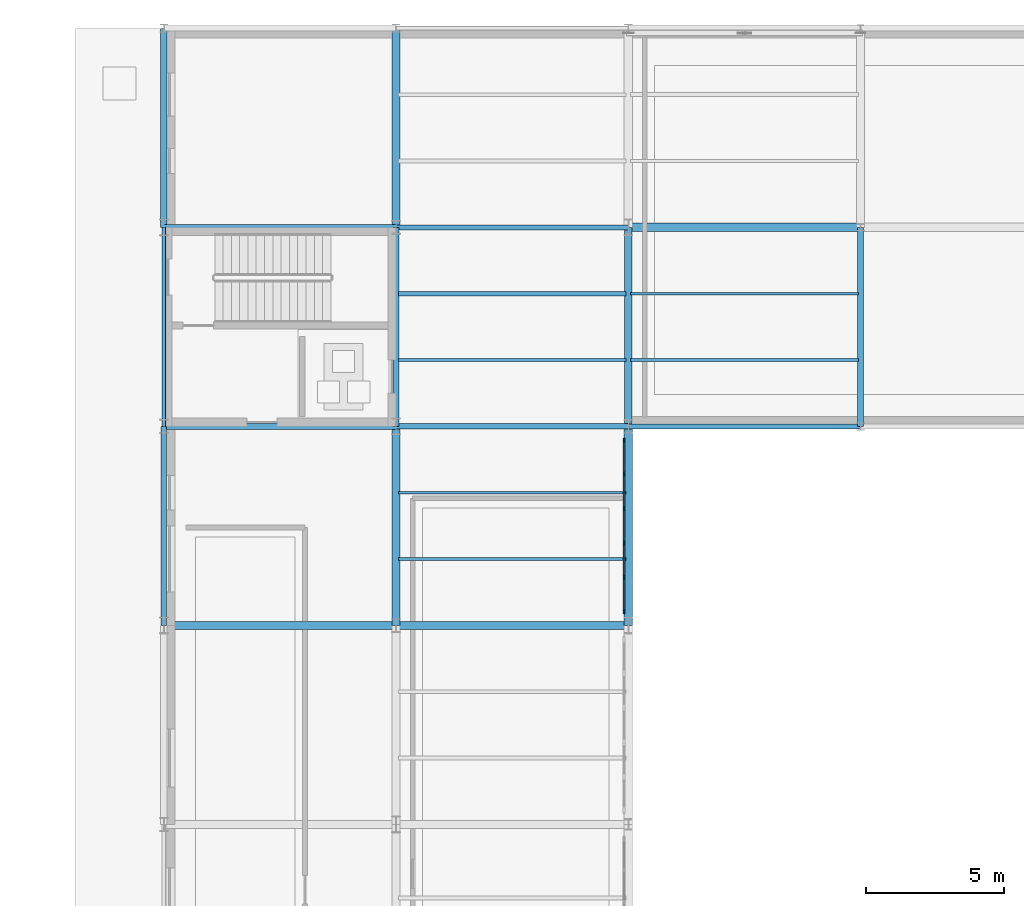
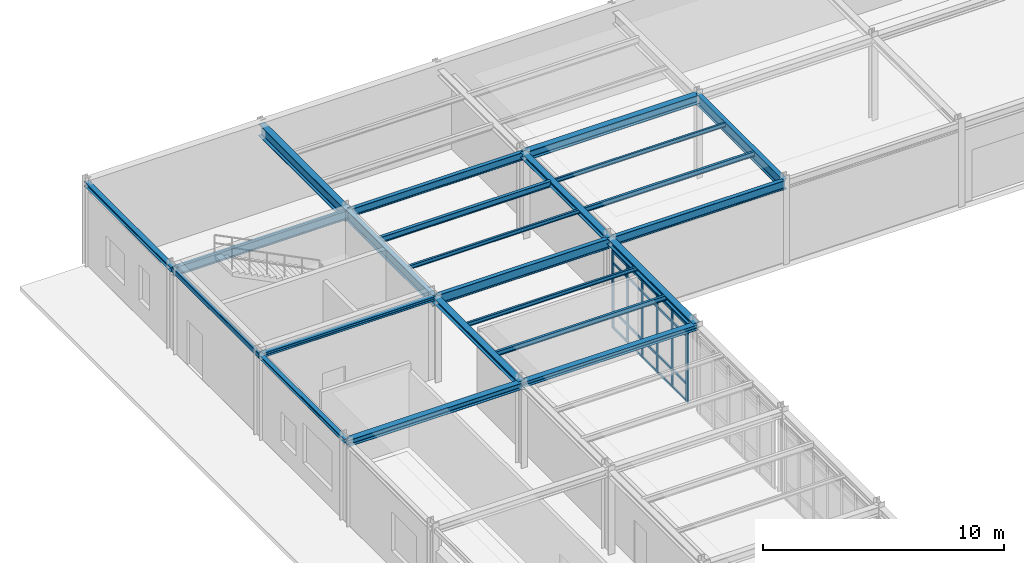
# One storey, part 42 of 101: 26 members, 23 beams, 1 element without a shape of its own.
"""IFC4 building model written with IfcOpenShell, lengths in metres."""

from ifc_helpers import new_model, si_unit, derived_unit, direction, frame, origin, origin_2d, place, context, subcontext, project, spatial, rectangle, hollow_rectangle, i_section, extrude, material, layer, layer_set, material_profile, profile_set, type_object, element, aggregate, save


model = new_model("IFC4")

# Units and contexts
model_context = context("Model", 3, precision=1e-05, world=origin(), true_north=direction((0.0, 1.0)))
body_context = subcontext(model_context, "Body", "Model", "MODEL_VIEW")
ifc_project = project(units=[si_unit("LENGTHUNIT", "METRE"), si_unit("AREAUNIT", "SQUARE_METRE"), si_unit("VOLUMEUNIT", "CUBIC_METRE"), si_unit("PLANEANGLEUNIT", "RADIAN"), si_unit("MASSUNIT", "GRAM", prefix="KILO"), derived_unit("THERMALTRANSMITTANCEUNIT", [(si_unit("POWERUNIT", "WATT"), 1), (si_unit("AREAUNIT", "SQUARE_METRE"), -1), (si_unit("THERMODYNAMICTEMPERATUREUNIT", "KELVIN"), -1)])], contexts=[model_context])

# Site, building, storey
site_placement = place(None, origin())
site = spatial("IfcSite", under=ifc_project, at=site_placement, CompositionType="ELEMENT")
building_placement = place(site_placement, origin())
building = spatial("IfcBuilding", under=site, at=building_placement, Name="Yasenodar Specialist Clinic", CompositionType="ELEMENT")
storey_placement = place(building_placement, origin())
storey = spatial("IfcBuildingStorey", under=building, at=storey_placement, Name="L00", CompositionType="ELEMENT", Elevation=0.0)

# Beams
ifc_material_1 = material(Name="Steel S355", Category="steel")
ifc_material_profile_1 = material_profile(ifc_material_1, i_section(OverallWidth=0.219970703125, OverallDepth=0.2099609375, WebThickness=0.007080078125, FlangeThickness=0.010986328125, FilletRadius=0.01806640625, at=origin_2d()), Name="HEA 220")
ifc_profile_set_1 = profile_set([ifc_material_profile_1], Name="Steel S355")
beam_type_1 = type_object("IfcBeamType", Name="BM-HEA220", PredefinedType="BEAM", material=ifc_profile_set_1)
beam_1_placement = place(storey_placement, frame((0.0, 97.199951171875, 4.14501953125), z_axis=(1.0, 0.0, 0.0), x_axis=(0.0, 1.0, 0.0)))
element("IfcBeam", 1, at=beam_1_placement, inside=storey, type_object=beam_type_1, Name="L00 Primary E-W Girder", PredefinedType="BEAM", context=body_context, shape_type="SweptSolid", body=[
    extrude(i_section(OverallWidth=0.219970703125, OverallDepth=0.2099609375, WebThickness=0.007080078125, FlangeThickness=0.010986328125, FilletRadius=0.01806640625, at=origin_2d()), origin(), (0.0, 0.0, 1.0), 8.39990234375),
])
ifc_material_profile_2 = material_profile(ifc_material_1, i_section(OverallWidth=0.280029296875, OverallDepth=0.27001953125, WebThickness=0.008056640625, FlangeThickness=0.012939453125, FilletRadius=0.02392578125, at=origin_2d()), Name="HEA 280")
ifc_profile_set_2 = profile_set([ifc_material_profile_2], Name="Steel S355")
beam_type_2 = type_object("IfcBeamType", Name="BM-HEA280", PredefinedType="BEAM", material=ifc_profile_set_2)
beam_2_placement = place(storey_placement, frame((8.39990234375, 90.0, 4.114990234375), z_axis=(1.0, 0.0, 0.0), x_axis=(0.0, 1.0, 0.0)))
element("IfcBeam", 2, at=beam_2_placement, inside=storey, type_object=beam_type_2, Name="L00 Primary E-W Girder", PredefinedType="BEAM", context=body_context, shape_type="SweptSolid", body=[
    extrude(i_section(OverallWidth=0.280029296875, OverallDepth=0.27001953125, WebThickness=0.008056640625, FlangeThickness=0.012939453125, FilletRadius=0.02392578125, at=origin_2d()), origin(), (0.0, 0.0, 1.0), 8.400146484375),
])
ifc_material_profile_3 = material_profile(ifc_material_1, i_section(OverallWidth=0.300048828125, OverallDepth=0.2900390625, WebThickness=0.008544921875, FlangeThickness=0.013916015625, FilletRadius=0.027099609375, at=origin_2d()), Name="HEA 300")
ifc_profile_set_3 = profile_set([ifc_material_profile_3], Name="Steel S355")
beam_type_3 = type_object("IfcBeamType", Name="BM-HEA300", PredefinedType="BEAM", material=ifc_profile_set_3)
beam_3_placement = place(storey_placement, frame((8.39990234375, 90.0, 4.10498046875), z_axis=(0.0, 1.0, 0.0), x_axis=(-1.0, 0.0, 0.0)))
element("IfcBeam", 3, at=beam_3_placement, inside=storey, type_object=beam_type_3, Name="L00 Primary N-S Girder", PredefinedType="BEAM", context=body_context, shape_type="SweptSolid", body=[
    extrude(i_section(OverallWidth=0.300048828125, OverallDepth=0.2900390625, WebThickness=0.008544921875, FlangeThickness=0.013916015625, FilletRadius=0.027099609375, at=origin_2d()), origin(), (0.0, 0.0, 1.0), 7.199951171875),
])
ifc_material_profile_4 = material_profile(ifc_material_1, i_section(OverallWidth=0.300048828125, OverallDepth=0.330078125, WebThickness=0.009521484375, FlangeThickness=0.0166015625, FilletRadius=0.027099609375, at=origin_2d()), Name="HEA 340")
ifc_profile_set_4 = profile_set([ifc_material_profile_4], Name="Steel S355")
beam_type_4 = type_object("IfcBeamType", Name="BM-HEA340", PredefinedType="BEAM", material=ifc_profile_set_4)
beam_4_placement = place(storey_placement, frame((0.0, 90.0, 4.0849609375), z_axis=(1.0, 0.0, 0.0), x_axis=(0.0, 1.0, 0.0)))
element("IfcBeam", 4, at=beam_4_placement, inside=storey, type_object=beam_type_4, Name="L00 Primary E-W Girder", PredefinedType="BEAM", context=body_context, shape_type="SweptSolid", body=[
    extrude(i_section(OverallWidth=0.300048828125, OverallDepth=0.330078125, WebThickness=0.009521484375, FlangeThickness=0.0166015625, FilletRadius=0.027099609375, at=origin_2d()), origin(), (0.0, 0.0, 1.0), 8.39990234375),
])
ifc_material_profile_5 = material_profile(ifc_material_1, i_section(OverallWidth=0.300048828125, OverallDepth=0.43994140625, WebThickness=0.011474609375, FlangeThickness=0.02099609375, FilletRadius=0.027099609375, at=origin_2d()), Name="HEA 450")
ifc_profile_set_5 = profile_set([ifc_material_profile_5], Name="Steel S355")
beam_type_5 = type_object("IfcBeamType", Name="BM-HEA450", PredefinedType="BEAM", material=ifc_profile_set_5)
beam_5_placement = place(storey_placement, frame((16.800048828125, 104.39990234375, 4.030029296875), z_axis=(1.0, 0.0, 0.0), x_axis=(0.0, 1.0, 0.0)))
element("IfcBeam", 5, at=beam_5_placement, inside=storey, type_object=beam_type_5, Name="L00 Primary E-W Girder", PredefinedType="BEAM", context=body_context, shape_type="SweptSolid", body=[
    extrude(i_section(OverallWidth=0.300048828125, OverallDepth=0.43994140625, WebThickness=0.011474609375, FlangeThickness=0.02099609375, FilletRadius=0.027099609375, at=origin_2d()), origin(), (0.0, 0.0, 1.0), 8.39990234375),
])
ifc_material_profile_6 = material_profile(ifc_material_1, i_section(OverallWidth=0.280029296875, OverallDepth=0.280029296875, WebThickness=0.010498046875, FlangeThickness=0.01806640625, FilletRadius=0.02392578125, at=origin_2d()), Name="HEB 280")
ifc_profile_set_6 = profile_set([ifc_material_profile_6], Name="Steel S355")
beam_type_6 = type_object("IfcBeamType", Name="BM-HEB280", PredefinedType="BEAM", material=ifc_profile_set_6)
beam_6_placement = place(storey_placement, frame((16.800048828125, 97.199951171875, 4.110107421875), z_axis=(0.0, 1.0, 0.0), x_axis=(-1.0, 0.0, 0.0)))
element("IfcBeam", 6, at=beam_6_placement, inside=storey, type_object=beam_type_6, Name="L00 Primary N-S Girder", PredefinedType="BEAM", context=body_context, shape_type="SweptSolid", body=[
    extrude(i_section(OverallWidth=0.280029296875, OverallDepth=0.280029296875, WebThickness=0.010498046875, FlangeThickness=0.01806640625, FilletRadius=0.02392578125, at=origin_2d()), origin(), (0.0, 0.0, 1.0), 7.199951171875),
])
ifc_material_profile_7 = material_profile(ifc_material_1, i_section(OverallWidth=0.300048828125, OverallDepth=0.300048828125, WebThickness=0.010986328125, FlangeThickness=0.01904296875, FilletRadius=0.027099609375, at=origin_2d()), Name="HEB 300")
ifc_profile_set_7 = profile_set([ifc_material_profile_7], Name="Steel S355")
beam_type_7 = type_object("IfcBeamType", Name="BM-HEB300", PredefinedType="BEAM", material=ifc_profile_set_7)
beam_7_placement = place(storey_placement, frame((16.800048828125, 90.0, 4.10009765625), z_axis=(0.0, 1.0, 0.0), x_axis=(-1.0, 0.0, 0.0)))
element("IfcBeam", 7, at=beam_7_placement, inside=storey, type_object=beam_type_7, Name="L00 Primary N-S Girder", PredefinedType="BEAM", context=body_context, shape_type="SweptSolid", body=[
    extrude(i_section(OverallWidth=0.300048828125, OverallDepth=0.300048828125, WebThickness=0.010986328125, FlangeThickness=0.01904296875, FilletRadius=0.027099609375, at=origin_2d()), origin(), (0.0, 0.0, 1.0), 7.199951171875),
])
ifc_material_profile_8 = material_profile(ifc_material_1, i_section(OverallWidth=0.300048828125, OverallDepth=0.60009765625, WebThickness=0.015380859375, FlangeThickness=0.030029296875, FilletRadius=0.027099609375, at=origin_2d()), Name="HEB 600")
ifc_profile_set_8 = profile_set([ifc_material_profile_8], Name="Steel S355")
beam_type_8 = type_object("IfcBeamType", Name="BM-HEB600", PredefinedType="BEAM", material=ifc_profile_set_8)
beam_8_placement = place(storey_placement, frame((8.39990234375, 104.39990234375, 3.949951171875), z_axis=(0.0, 1.0, 0.0), x_axis=(-1.0, 0.0, 0.0)))
element("IfcBeam", 8, at=beam_8_placement, inside=storey, type_object=beam_type_8, Name="L00 Primary N-S Girder", PredefinedType="BEAM", context=body_context, shape_type="SweptSolid", body=[
    extrude(i_section(OverallWidth=0.300048828125, OverallDepth=0.60009765625, WebThickness=0.015380859375, FlangeThickness=0.030029296875, FilletRadius=0.027099609375, at=origin_2d()), origin(), (0.0, 0.0, 1.0), 7.2001953125),
])
ifc_material_profile_9 = material_profile(ifc_material_1, i_section(OverallWidth=0.179931640625, OverallDepth=0.39990234375, WebThickness=0.008544921875, FlangeThickness=0.013427734375, FilletRadius=0.02099609375, at=origin_2d()), Name="IPE 400")
ifc_profile_set_9 = profile_set([ifc_material_profile_9], Name="Steel S355")
beam_type_9 = type_object("IfcBeamType", Name="BM-IPE400", PredefinedType="BEAM", material=ifc_profile_set_9)
beam_9_placement = place(storey_placement, frame((8.39990234375, 104.39990234375, 4.050048828125), z_axis=(1.0, 0.0, 0.0), x_axis=(0.0, 1.0, 0.0)))
element("IfcBeam", 9, at=beam_9_placement, inside=storey, type_object=beam_type_9, Name="L00 Primary E-W Girder", PredefinedType="BEAM", context=body_context, shape_type="SweptSolid", body=[
    extrude(i_section(OverallWidth=0.179931640625, OverallDepth=0.39990234375, WebThickness=0.008544921875, FlangeThickness=0.013427734375, FilletRadius=0.02099609375, at=origin_2d()), origin(), (0.0, 0.0, 1.0), 8.400146484375),
])
ifc_material_profile_10 = material_profile(ifc_material_1, i_section(OverallWidth=0.18994140625, OverallDepth=0.449951171875, WebThickness=0.009521484375, FlangeThickness=0.0146484375, FilletRadius=0.02099609375, at=origin_2d()), Name="IPE 450")
ifc_profile_set_10 = profile_set([ifc_material_profile_10], Name="Steel S355")
beam_type_10 = type_object("IfcBeamType", Name="BM-IPE450", PredefinedType="BEAM", material=ifc_profile_set_10)
for number, where, z_axis, x_axis, name in (
    (10, (16.800048828125, 97.199951171875, 4.02490234375), (1.0, 0.0, 0.0), (0.0, 1.0, 0.0), "L00 Primary E-W Girder"),
    (11, (0.0, 104.39990234375, 4.02490234375), (1.0, 0.0, 0.0), (0.0, 1.0, 0.0), "L00 Primary E-W Girder"),
):
    element("IfcBeam", number, at=place(storey_placement, frame(where, z_axis=z_axis, x_axis=x_axis)), inside=storey, type_object=beam_type_10, Name=name, PredefinedType="BEAM", context=body_context, shape_type="SweptSolid", body=[
        extrude(i_section(OverallWidth=0.18994140625, OverallDepth=0.449951171875, WebThickness=0.009521484375, FlangeThickness=0.0146484375, FilletRadius=0.02099609375, at=origin_2d()), origin(), (0.0, 0.0, 1.0), 8.39990234375),
    ])
ifc_material_profile_11 = material_profile(ifc_material_1, i_section(OverallWidth=0.199951171875, OverallDepth=0.5, WebThickness=0.01025390625, FlangeThickness=0.01611328125, FilletRadius=0.02099609375, at=origin_2d()), Name="IPE 500")
ifc_profile_set_11 = profile_set([ifc_material_profile_11], Name="Steel S355")
beam_type_11 = type_object("IfcBeamType", Name="BM-IPE500", PredefinedType="BEAM", material=ifc_profile_set_11)
beam_10_placement = place(storey_placement, frame((8.39990234375, 97.199951171875, 4.0), z_axis=(1.0, 0.0, 0.0), x_axis=(0.0, 1.0, 0.0)))
element("IfcBeam", 12, at=beam_10_placement, inside=storey, type_object=beam_type_11, Name="L00 Primary E-W Girder", PredefinedType="BEAM", context=body_context, shape_type="SweptSolid", body=[
    extrude(i_section(OverallWidth=0.199951171875, OverallDepth=0.5, WebThickness=0.01025390625, FlangeThickness=0.01611328125, FilletRadius=0.02099609375, at=origin_2d()), origin(), (0.0, 0.0, 1.0), 8.400146484375),
])
ifc_material_profile_12 = material_profile(ifc_material_1, i_section(OverallWidth=0.2099609375, OverallDepth=0.550048828125, WebThickness=0.010986328125, FlangeThickness=0.01708984375, FilletRadius=0.02392578125, at=origin_2d()), Name="IPE 550")
ifc_profile_set_12 = profile_set([ifc_material_profile_12], Name="Steel S355")
beam_type_12 = type_object("IfcBeamType", Name="BM-IPE550", PredefinedType="BEAM", material=ifc_profile_set_12)
for number, where, z_axis, x_axis, name in (
    (13, (8.39990234375, 97.199951171875, 3.97509765625), (0.0, 1.0, 0.0), (-1.0, 0.0, 0.0), "L00 Primary N-S Girder"),
    (14, (25.199951171875, 97.199951171875, 3.97509765625), (0.0, 1.0, 0.0), (-1.0, 0.0, 0.0), "L00 Primary N-S Girder"),
):
    element("IfcBeam", number, at=place(storey_placement, frame(where, z_axis=z_axis, x_axis=x_axis)), inside=storey, type_object=beam_type_12, Name=name, PredefinedType="BEAM", context=body_context, shape_type="SweptSolid", body=[
        extrude(i_section(OverallWidth=0.2099609375, OverallDepth=0.550048828125, WebThickness=0.010986328125, FlangeThickness=0.01708984375, FilletRadius=0.02392578125, at=origin_2d()), origin(), (0.0, 0.0, 1.0), 7.199951171875),
    ])

# Curtain wall, members
ifc_material_2 = material(Name="Bronze Anodized Aluminium and Triple Low-E Glass", Category="aluminium")
ifc_layer = layer(ifc_material_2, 0.202880859375)
ifc_layer_set = layer_set([ifc_layer], Name="Bronze Anodized Aluminium and Triple Low-E Glass")
curtain_wall_type = type_object("IfcCurtainWallType", Name="CW-SYS-04", PredefinedType="USERDEFINED", material=ifc_layer_set)
curtain_wall_placement = place(storey_placement, origin())
curtain_wall = element("IfcCurtainWall", 15, at=curtain_wall_placement, inside=storey, type_object=curtain_wall_type, Name="L00 Unitised Curtain Wall 114", ObjectType="UNITISED CURTAIN WALL", PredefinedType="USERDEFINED")
ifc_material_3 = material(Name="Bronze Anodized Aluminium", Category="aluminium")
ifc_material_profile_13 = material_profile(ifc_material_3, rectangle(XDim=0.06005859375, YDim=0.159912109375, at=origin_2d()), Name="CW-MULL 60x160")
ifc_profile_set_13 = profile_set([ifc_material_profile_13], Name="Bronze Anodized Aluminium")
member_type_1 = type_object("IfcMemberType", Name="CW-MULL-160", PredefinedType="MULLION", material=ifc_profile_set_13)
member_1_placement = place(storey_placement, frame((16.64990234375, 96.68994140625, 0.0), z_axis=(0.0, 0.0, 1.0), x_axis=(1.0, 0.0, 0.0)))
member_1 = element("IfcMember", 16, at=member_1_placement, type_object=member_type_1, Name="CW-04 mullion 1", PredefinedType="MULLION", context=body_context, shape_type="SweptSolid", body=[
    extrude(rectangle(XDim=0.06005859375, YDim=0.159912109375, at=origin_2d()), origin(), (0.0, 0.0, 1.0), 3.927978515625),
])
member_2_placement = place(storey_placement, frame((16.64990234375, 95.471923828125, 0.0), z_axis=(0.0, 0.0, 1.0), x_axis=(1.0, 0.0, 0.0)))
member_2 = element("IfcMember", 17, at=member_2_placement, type_object=member_type_1, Name="CW-04 mullion 2", PredefinedType="MULLION", context=body_context, shape_type="SweptSolid", body=[
    extrude(rectangle(XDim=0.06005859375, YDim=0.159912109375, at=origin_2d()), origin(), (0.0, 0.0, 1.0), 3.927978515625),
])
member_3_placement = place(storey_placement, frame((16.64990234375, 94.22412109375, 0.0), z_axis=(0.0, 0.0, 1.0), x_axis=(1.0, 0.0, 0.0)))
member_3 = element("IfcMember", 18, at=member_3_placement, type_object=member_type_1, Name="CW-04 mullion 3", PredefinedType="MULLION", context=body_context, shape_type="SweptSolid", body=[
    extrude(rectangle(XDim=0.06005859375, YDim=0.159912109375, at=origin_2d()), origin(), (0.0, 0.0, 1.0), 3.927978515625),
])
member_4_placement = place(storey_placement, frame((16.64990234375, 92.97607421875, 0.0), z_axis=(0.0, 0.0, 1.0), x_axis=(1.0, 0.0, 0.0)))
member_4 = element("IfcMember", 19, at=member_4_placement, type_object=member_type_1, Name="CW-04 mullion 4", PredefinedType="MULLION", context=body_context, shape_type="SweptSolid", body=[
    extrude(rectangle(XDim=0.06005859375, YDim=0.159912109375, at=origin_2d()), origin(), (0.0, 0.0, 1.0), 3.927978515625),
])
member_5_placement = place(storey_placement, frame((16.64990234375, 91.72802734375, 0.0), z_axis=(0.0, 0.0, 1.0), x_axis=(1.0, 0.0, 0.0)))
member_5 = element("IfcMember", 20, at=member_5_placement, type_object=member_type_1, Name="CW-04 mullion 5", PredefinedType="MULLION", context=body_context, shape_type="SweptSolid", body=[
    extrude(rectangle(XDim=0.06005859375, YDim=0.159912109375, at=origin_2d()), origin(), (0.0, 0.0, 1.0), 3.927978515625),
])
member_6_placement = place(storey_placement, frame((16.64990234375, 90.510009765625, 0.0), z_axis=(0.0, 0.0, 1.0), x_axis=(1.0, 0.0, 0.0)))
member_6 = element("IfcMember", 21, at=member_6_placement, type_object=member_type_1, Name="CW-04 mullion 6", PredefinedType="MULLION", context=body_context, shape_type="SweptSolid", body=[
    extrude(rectangle(XDim=0.06005859375, YDim=0.159912109375, at=origin_2d()), origin(), (0.0, 0.0, 1.0), 3.927978515625),
])
ifc_material_profile_14 = material_profile(ifc_material_3, rectangle(XDim=0.06005859375, YDim=0.1201171875, at=origin_2d()), Name="CW-TRAN 60x120")
ifc_profile_set_14 = profile_set([ifc_material_profile_14], Name="Bronze Anodized Aluminium")
member_type_2 = type_object("IfcMemberType", Name="CW-TRAN-120", PredefinedType="USERDEFINED", material=ifc_profile_set_14)
member_7_placement = place(storey_placement, frame((16.64990234375, 96.659912109375, 0.030029296875), z_axis=(0.0, -1.0, 0.0), x_axis=(1.0, 0.0, 0.0)))
member_7 = element("IfcMember", 22, at=member_7_placement, type_object=member_type_2, Name="CW-04 transom 1.1", ObjectType="TRANSOM", PredefinedType="USERDEFINED", context=body_context, shape_type="SweptSolid", body=[
    extrude(rectangle(XDim=0.06005859375, YDim=0.1201171875, at=origin_2d()), origin(), (0.0, 0.0, 1.0), 1.157958984375),
])
member_8_placement = place(storey_placement, frame((16.64990234375, 96.659912109375, 0.89990234375), z_axis=(0.0, -1.0, 0.0), x_axis=(1.0, 0.0, 0.0)))
member_8 = element("IfcMember", 23, at=member_8_placement, type_object=member_type_2, Name="CW-04 transom 1.2", ObjectType="TRANSOM", PredefinedType="USERDEFINED", context=body_context, shape_type="SweptSolid", body=[
    extrude(rectangle(XDim=0.06005859375, YDim=0.1201171875, at=origin_2d()), origin(), (0.0, 0.0, 1.0), 1.157958984375),
])
member_9_placement = place(storey_placement, frame((16.64990234375, 96.659912109375, 3.327880859375), z_axis=(0.0, -1.0, 0.0), x_axis=(1.0, 0.0, 0.0)))
member_9 = element("IfcMember", 24, at=member_9_placement, type_object=member_type_2, Name="CW-04 transom 1.3", ObjectType="TRANSOM", PredefinedType="USERDEFINED", context=body_context, shape_type="SweptSolid", body=[
    extrude(rectangle(XDim=0.06005859375, YDim=0.1201171875, at=origin_2d()), origin(), (0.0, 0.0, 1.0), 1.157958984375),
])
member_10_placement = place(storey_placement, frame((16.64990234375, 96.659912109375, 3.89794921875), z_axis=(0.0, -1.0, 0.0), x_axis=(1.0, 0.0, 0.0)))
member_10 = element("IfcMember", 25, at=member_10_placement, type_object=member_type_2, Name="CW-04 transom 1.4", ObjectType="TRANSOM", PredefinedType="USERDEFINED", context=body_context, shape_type="SweptSolid", body=[
    extrude(rectangle(XDim=0.06005859375, YDim=0.1201171875, at=origin_2d()), origin(), (0.0, 0.0, 1.0), 1.157958984375),
])
member_11_placement = place(storey_placement, frame((16.64990234375, 95.44189453125, 0.030029296875), z_axis=(0.0, -1.0, 0.0), x_axis=(1.0, 0.0, 0.0)))
member_11 = element("IfcMember", 26, at=member_11_placement, type_object=member_type_2, Name="CW-04 transom 2.1", ObjectType="TRANSOM", PredefinedType="USERDEFINED", context=body_context, shape_type="SweptSolid", body=[
    extrude(rectangle(XDim=0.06005859375, YDim=0.1201171875, at=origin_2d()), origin(), (0.0, 0.0, 1.0), 1.18798828125),
])
member_12_placement = place(storey_placement, frame((16.64990234375, 95.44189453125, 0.89990234375), z_axis=(0.0, -1.0, 0.0), x_axis=(1.0, 0.0, 0.0)))
member_12 = element("IfcMember", 27, at=member_12_placement, type_object=member_type_2, Name="CW-04 transom 2.2", ObjectType="TRANSOM", PredefinedType="USERDEFINED", context=body_context, shape_type="SweptSolid", body=[
    extrude(rectangle(XDim=0.06005859375, YDim=0.1201171875, at=origin_2d()), origin(), (0.0, 0.0, 1.0), 1.18798828125),
])
member_13_placement = place(storey_placement, frame((16.64990234375, 95.44189453125, 3.327880859375), z_axis=(0.0, -1.0, 0.0), x_axis=(1.0, 0.0, 0.0)))
member_13 = element("IfcMember", 28, at=member_13_placement, type_object=member_type_2, Name="CW-04 transom 2.3", ObjectType="TRANSOM", PredefinedType="USERDEFINED", context=body_context, shape_type="SweptSolid", body=[
    extrude(rectangle(XDim=0.06005859375, YDim=0.1201171875, at=origin_2d()), origin(), (0.0, 0.0, 1.0), 1.18798828125),
])
member_14_placement = place(storey_placement, frame((16.64990234375, 95.44189453125, 3.89794921875), z_axis=(0.0, -1.0, 0.0), x_axis=(1.0, 0.0, 0.0)))
member_14 = element("IfcMember", 29, at=member_14_placement, type_object=member_type_2, Name="CW-04 transom 2.4", ObjectType="TRANSOM", PredefinedType="USERDEFINED", context=body_context, shape_type="SweptSolid", body=[
    extrude(rectangle(XDim=0.06005859375, YDim=0.1201171875, at=origin_2d()), origin(), (0.0, 0.0, 1.0), 1.18798828125),
])
member_15_placement = place(storey_placement, frame((16.64990234375, 94.194091796875, 0.030029296875), z_axis=(0.0, -1.0, 0.0), x_axis=(1.0, 0.0, 0.0)))
member_15 = element("IfcMember", 30, at=member_15_placement, type_object=member_type_2, Name="CW-04 transom 3.1", ObjectType="TRANSOM", PredefinedType="USERDEFINED", context=body_context, shape_type="SweptSolid", body=[
    extrude(rectangle(XDim=0.06005859375, YDim=0.1201171875, at=origin_2d()), origin(), (0.0, 0.0, 1.0), 1.18798828125),
])
member_16_placement = place(storey_placement, frame((16.64990234375, 94.194091796875, 0.89990234375), z_axis=(0.0, -1.0, 0.0), x_axis=(1.0, 0.0, 0.0)))
member_16 = element("IfcMember", 31, at=member_16_placement, type_object=member_type_2, Name="CW-04 transom 3.2", ObjectType="TRANSOM", PredefinedType="USERDEFINED", context=body_context, shape_type="SweptSolid", body=[
    extrude(rectangle(XDim=0.06005859375, YDim=0.1201171875, at=origin_2d()), origin(), (0.0, 0.0, 1.0), 1.18798828125),
])
member_17_placement = place(storey_placement, frame((16.64990234375, 94.194091796875, 3.327880859375), z_axis=(0.0, -1.0, 0.0), x_axis=(1.0, 0.0, 0.0)))
member_17 = element("IfcMember", 32, at=member_17_placement, type_object=member_type_2, Name="CW-04 transom 3.3", ObjectType="TRANSOM", PredefinedType="USERDEFINED", context=body_context, shape_type="SweptSolid", body=[
    extrude(rectangle(XDim=0.06005859375, YDim=0.1201171875, at=origin_2d()), origin(), (0.0, 0.0, 1.0), 1.18798828125),
])
member_18_placement = place(storey_placement, frame((16.64990234375, 94.194091796875, 3.89794921875), z_axis=(0.0, -1.0, 0.0), x_axis=(1.0, 0.0, 0.0)))
member_18 = element("IfcMember", 33, at=member_18_placement, type_object=member_type_2, Name="CW-04 transom 3.4", ObjectType="TRANSOM", PredefinedType="USERDEFINED", context=body_context, shape_type="SweptSolid", body=[
    extrude(rectangle(XDim=0.06005859375, YDim=0.1201171875, at=origin_2d()), origin(), (0.0, 0.0, 1.0), 1.18798828125),
])
member_19_placement = place(storey_placement, frame((16.64990234375, 92.946044921875, 0.030029296875), z_axis=(0.0, -1.0, 0.0), x_axis=(1.0, 0.0, 0.0)))
member_19 = element("IfcMember", 34, at=member_19_placement, type_object=member_type_2, Name="CW-04 transom 4.1", ObjectType="TRANSOM", PredefinedType="USERDEFINED", context=body_context, shape_type="SweptSolid", body=[
    extrude(rectangle(XDim=0.06005859375, YDim=0.1201171875, at=origin_2d()), origin(), (0.0, 0.0, 1.0), 1.18798828125),
])
member_20_placement = place(storey_placement, frame((16.64990234375, 92.946044921875, 0.89990234375), z_axis=(0.0, -1.0, 0.0), x_axis=(1.0, 0.0, 0.0)))
member_20 = element("IfcMember", 35, at=member_20_placement, type_object=member_type_2, Name="CW-04 transom 4.2", ObjectType="TRANSOM", PredefinedType="USERDEFINED", context=body_context, shape_type="SweptSolid", body=[
    extrude(rectangle(XDim=0.06005859375, YDim=0.1201171875, at=origin_2d()), origin(), (0.0, 0.0, 1.0), 1.18798828125),
])
member_21_placement = place(storey_placement, frame((16.64990234375, 92.946044921875, 3.327880859375), z_axis=(0.0, -1.0, 0.0), x_axis=(1.0, 0.0, 0.0)))
member_21 = element("IfcMember", 36, at=member_21_placement, type_object=member_type_2, Name="CW-04 transom 4.3", ObjectType="TRANSOM", PredefinedType="USERDEFINED", context=body_context, shape_type="SweptSolid", body=[
    extrude(rectangle(XDim=0.06005859375, YDim=0.1201171875, at=origin_2d()), origin(), (0.0, 0.0, 1.0), 1.18798828125),
])
member_22_placement = place(storey_placement, frame((16.64990234375, 92.946044921875, 3.89794921875), z_axis=(0.0, -1.0, 0.0), x_axis=(1.0, 0.0, 0.0)))
member_22 = element("IfcMember", 37, at=member_22_placement, type_object=member_type_2, Name="CW-04 transom 4.4", ObjectType="TRANSOM", PredefinedType="USERDEFINED", context=body_context, shape_type="SweptSolid", body=[
    extrude(rectangle(XDim=0.06005859375, YDim=0.1201171875, at=origin_2d()), origin(), (0.0, 0.0, 1.0), 1.18798828125),
])
member_23_placement = place(storey_placement, frame((16.64990234375, 91.697998046875, 0.030029296875), z_axis=(0.0, -1.0, 0.0), x_axis=(1.0, 0.0, 0.0)))
member_23 = element("IfcMember", 38, at=member_23_placement, type_object=member_type_2, Name="CW-04 transom 5.1", ObjectType="TRANSOM", PredefinedType="USERDEFINED", context=body_context, shape_type="SweptSolid", body=[
    extrude(rectangle(XDim=0.06005859375, YDim=0.1201171875, at=origin_2d()), origin(), (0.0, 0.0, 1.0), 1.157958984375),
])
member_24_placement = place(storey_placement, frame((16.64990234375, 91.697998046875, 0.89990234375), z_axis=(0.0, -1.0, 0.0), x_axis=(1.0, 0.0, 0.0)))
member_24 = element("IfcMember", 39, at=member_24_placement, type_object=member_type_2, Name="CW-04 transom 5.2", ObjectType="TRANSOM", PredefinedType="USERDEFINED", context=body_context, shape_type="SweptSolid", body=[
    extrude(rectangle(XDim=0.06005859375, YDim=0.1201171875, at=origin_2d()), origin(), (0.0, 0.0, 1.0), 1.157958984375),
])
member_25_placement = place(storey_placement, frame((16.64990234375, 91.697998046875, 3.327880859375), z_axis=(0.0, -1.0, 0.0), x_axis=(1.0, 0.0, 0.0)))
member_25 = element("IfcMember", 40, at=member_25_placement, type_object=member_type_2, Name="CW-04 transom 5.3", ObjectType="TRANSOM", PredefinedType="USERDEFINED", context=body_context, shape_type="SweptSolid", body=[
    extrude(rectangle(XDim=0.06005859375, YDim=0.1201171875, at=origin_2d()), origin(), (0.0, 0.0, 1.0), 1.157958984375),
])
member_26_placement = place(storey_placement, frame((16.64990234375, 91.697998046875, 3.89794921875), z_axis=(0.0, -1.0, 0.0), x_axis=(1.0, 0.0, 0.0)))
member_26 = element("IfcMember", 41, at=member_26_placement, type_object=member_type_2, Name="CW-04 transom 5.4", ObjectType="TRANSOM", PredefinedType="USERDEFINED", context=body_context, shape_type="SweptSolid", body=[
    extrude(rectangle(XDim=0.06005859375, YDim=0.1201171875, at=origin_2d()), origin(), (0.0, 0.0, 1.0), 1.157958984375),
])
aggregate(curtain_wall, [member_1, member_2, member_3, member_4, member_5, member_6, member_7, member_8, member_9, member_10, member_11, member_12, member_13, member_14, member_15, member_16, member_17, member_18, member_19, member_20, member_21, member_22, member_23, member_24, member_25, member_26])

# Beams
ifc_material_profile_15 = material_profile(ifc_material_1, i_section(OverallWidth=0.10009765625, OverallDepth=0.199951171875, WebThickness=0.005615234375, FlangeThickness=0.008544921875, FilletRadius=0.011962890625, at=origin_2d()), Name="IPE 200")
ifc_profile_set_15 = profile_set([ifc_material_profile_15], Name="Steel S355")
beam_type_13 = type_object("IfcBeamType", Name="JS-IPE200", PredefinedType="JOIST", material=ifc_profile_set_15)
for number, where, z_axis, x_axis, name in (
    (42, (8.47998046875, 94.800048828125, 4.14990234375), (1.0, 0.0, 0.0), (0.0, 1.0, 0.0), "L00 Composite Floor Joist"),
    (43, (8.47998046875, 99.60009765625, 4.14990234375), (1.0, 0.0, 0.0), (0.0, 1.0, 0.0), "L00 Composite Floor Joist"),
):
    element("IfcBeam", number, at=place(storey_placement, frame(where, z_axis=z_axis, x_axis=x_axis)), inside=storey, type_object=beam_type_13, Name=name, PredefinedType="JOIST", context=body_context, shape_type="SweptSolid", body=[
        extrude(i_section(OverallWidth=0.10009765625, OverallDepth=0.199951171875, WebThickness=0.005615234375, FlangeThickness=0.008544921875, FilletRadius=0.011962890625, at=origin_2d()), origin(), (0.0, 0.0, 1.0), 8.239990234375),
    ])
beam_11_placement = place(storey_placement, frame((16.8798828125, 102.0, 4.14990234375), z_axis=(1.0, 0.0, 0.0), x_axis=(0.0, 1.0, 0.0)))
element("IfcBeam", 44, at=beam_11_placement, inside=storey, type_object=beam_type_13, Name="L00 Composite Floor Joist", PredefinedType="JOIST", context=body_context, shape_type="SweptSolid", body=[
    extrude(i_section(OverallWidth=0.10009765625, OverallDepth=0.199951171875, WebThickness=0.005615234375, FlangeThickness=0.008544921875, FilletRadius=0.011962890625, at=origin_2d()), origin(), (0.0, 0.0, 1.0), 8.240234375),
])
ifc_material_profile_16 = material_profile(ifc_material_1, i_section(OverallWidth=0.1201171875, OverallDepth=0.239990234375, WebThickness=0.006103515625, FlangeThickness=0.009765625, FilletRadius=0.014892578125, at=origin_2d()), Name="IPE 240")
ifc_profile_set_16 = profile_set([ifc_material_profile_16], Name="Steel S355")
beam_type_14 = type_object("IfcBeamType", Name="JS-IPE240", PredefinedType="JOIST", material=ifc_profile_set_16)
beam_12_placement = place(storey_placement, frame((8.47998046875, 92.39990234375, 4.1298828125), z_axis=(1.0, 0.0, 0.0), x_axis=(0.0, 1.0, 0.0)))
element("IfcBeam", 45, at=beam_12_placement, inside=storey, type_object=beam_type_14, Name="L00 Composite Floor Joist", PredefinedType="JOIST", context=body_context, shape_type="SweptSolid", body=[
    extrude(i_section(OverallWidth=0.1201171875, OverallDepth=0.239990234375, WebThickness=0.006103515625, FlangeThickness=0.009765625, FilletRadius=0.014892578125, at=origin_2d()), origin(), (0.0, 0.0, 1.0), 8.239990234375),
])
beam_13_placement = place(storey_placement, frame((16.8798828125, 99.60009765625, 4.1298828125), z_axis=(1.0, 0.0, 0.0), x_axis=(0.0, 1.0, 0.0)))
element("IfcBeam", 46, at=beam_13_placement, inside=storey, type_object=beam_type_14, Name="L00 Composite Floor Joist", PredefinedType="JOIST", context=body_context, shape_type="SweptSolid", body=[
    extrude(i_section(OverallWidth=0.1201171875, OverallDepth=0.239990234375, WebThickness=0.006103515625, FlangeThickness=0.009765625, FilletRadius=0.014892578125, at=origin_2d()), origin(), (0.0, 0.0, 1.0), 8.240234375),
])
ifc_material_profile_17 = material_profile(ifc_material_1, i_section(OverallWidth=0.14990234375, OverallDepth=0.300048828125, WebThickness=0.007080078125, FlangeThickness=0.0107421875, FilletRadius=0.014892578125, at=origin_2d()), Name="IPE 300")
ifc_profile_set_17 = profile_set([ifc_material_profile_17], Name="Steel S355")
beam_type_15 = type_object("IfcBeamType", Name="JS-IPE300", PredefinedType="JOIST", material=ifc_profile_set_17)
beam_14_placement = place(storey_placement, frame((8.47998046875, 102.0, 4.10009765625), z_axis=(1.0, 0.0, 0.0), x_axis=(0.0, 1.0, 0.0)))
element("IfcBeam", 47, at=beam_14_placement, inside=storey, type_object=beam_type_15, Name="L00 Composite Floor Joist", PredefinedType="JOIST", context=body_context, shape_type="SweptSolid", body=[
    extrude(i_section(OverallWidth=0.14990234375, OverallDepth=0.300048828125, WebThickness=0.007080078125, FlangeThickness=0.0107421875, FilletRadius=0.014892578125, at=origin_2d()), origin(), (0.0, 0.0, 1.0), 8.239990234375),
])
ifc_material_profile_18 = material_profile(ifc_material_1, i_section(OverallWidth=0.199951171875, OverallDepth=0.18994140625, WebThickness=0.006591796875, FlangeThickness=0.010009765625, FilletRadius=0.01806640625, at=origin_2d()), Name="HEA 200")
ifc_profile_set_18 = profile_set([ifc_material_profile_18], Name="Steel S355")
beam_type_16 = type_object("IfcBeamType", Name="SP-HEA200", PredefinedType="SPANDREL", material=ifc_profile_set_18)
beam_15_placement = place(storey_placement, frame((0.0, 90.0, 4.155029296875), z_axis=(0.0, 1.0, 0.0), x_axis=(-1.0, 0.0, 0.0)))
element("IfcBeam", 48, at=beam_15_placement, inside=storey, type_object=beam_type_16, Name="L00 Perimeter Spandrel Beam", PredefinedType="SPANDREL", context=body_context, shape_type="SweptSolid", body=[
    extrude(i_section(OverallWidth=0.199951171875, OverallDepth=0.18994140625, WebThickness=0.006591796875, FlangeThickness=0.010009765625, FilletRadius=0.01806640625, at=origin_2d()), origin(), (0.0, 0.0, 1.0), 7.199951171875),
])
ifc_material_profile_19 = material_profile(ifc_material_1, i_section(OverallWidth=0.239990234375, OverallDepth=0.22998046875, WebThickness=0.007568359375, FlangeThickness=0.011962890625, FilletRadius=0.02099609375, at=origin_2d()), Name="HEA 240")
ifc_profile_set_19 = profile_set([ifc_material_profile_19], Name="Steel S355")
beam_type_17 = type_object("IfcBeamType", Name="SP-HEA240", PredefinedType="SPANDREL", material=ifc_profile_set_19)
beam_16_placement = place(storey_placement, frame((0.0, 104.39990234375, 4.135009765625), z_axis=(0.0, 1.0, 0.0), x_axis=(-1.0, 0.0, 0.0)))
element("IfcBeam", 49, at=beam_16_placement, inside=storey, type_object=beam_type_17, Name="L00 Perimeter Spandrel Beam", PredefinedType="SPANDREL", context=body_context, shape_type="SweptSolid", body=[
    extrude(i_section(OverallWidth=0.239990234375, OverallDepth=0.22998046875, WebThickness=0.007568359375, FlangeThickness=0.011962890625, FilletRadius=0.02099609375, at=origin_2d()), origin(), (0.0, 0.0, 1.0), 7.2001953125),
])
ifc_material_profile_20 = material_profile(ifc_material_1, hollow_rectangle(XDim=0.14990234375, YDim=0.25, WallThickness=0.010009765625, InnerFilletRadius=0.014892578125, OuterFilletRadius=0.02490234375, at=origin_2d()), Name="RHS 250x150x10")
ifc_profile_set_20 = profile_set([ifc_material_profile_20], Name="Steel S355")
beam_type_18 = type_object("IfcBeamType", Name="SP-RHS250", PredefinedType="SPANDREL", material=ifc_profile_set_20)
beam_17_placement = place(storey_placement, frame((0.0, 97.199951171875, 4.125), z_axis=(0.0, 1.0, 0.0), x_axis=(-1.0, 0.0, 0.0)))
element("IfcBeam", 50, at=beam_17_placement, inside=storey, type_object=beam_type_18, Name="L00 Perimeter Spandrel Beam", PredefinedType="SPANDREL", context=body_context, shape_type="SweptSolid", body=[
    extrude(hollow_rectangle(XDim=0.14990234375, YDim=0.25, WallThickness=0.010009765625, InnerFilletRadius=0.014892578125, OuterFilletRadius=0.02490234375, at=origin_2d()), origin(), (0.0, 0.0, 1.0), 7.199951171875),
])

save(model, "model.ifc")
